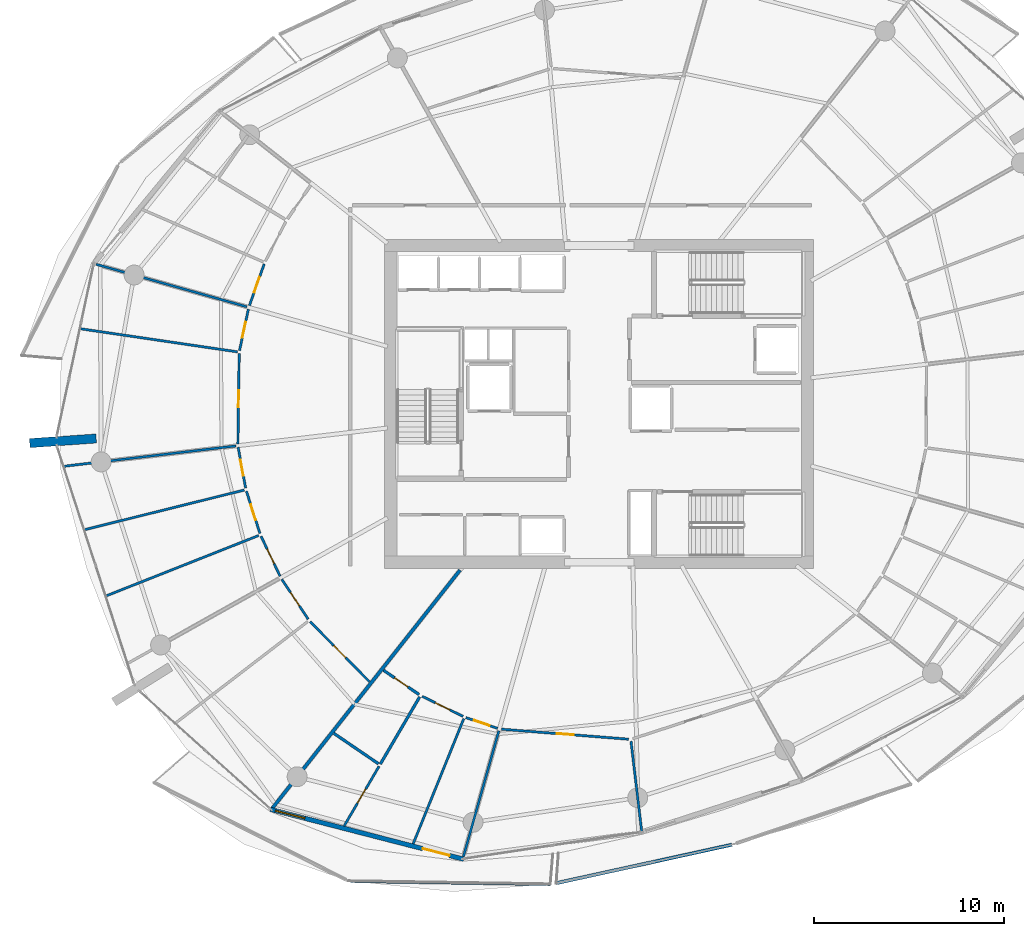
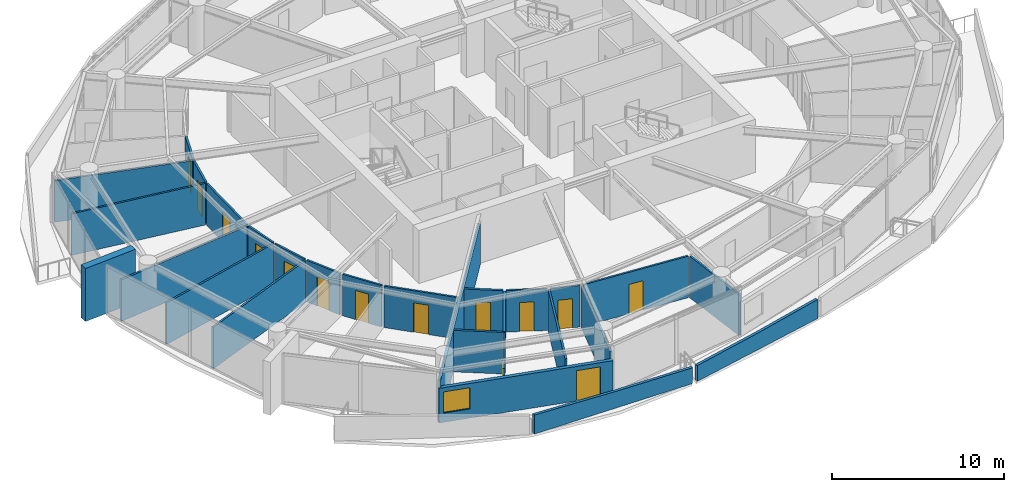
# One storey, part 11 of 20: 28 walls, 14 doors, 1 window, 15 openings.
"""IFC4 building model written with IfcOpenShell, lengths in metres."""

from ifc_helpers import new_model, si_unit, direction, frame, frame_2d, origin, place, context, subcontext, project, spatial, polyline, rectangle, outline, extrude, material, layer, layer_set, type_object, element, fill, save


model = new_model("IFC4")

# Units and contexts
model_context = context("Model", 3, precision=1e-05, world=origin(), true_north=direction((0.0, 1.0)))
body_context = subcontext(model_context, "Body", "Model", "MODEL_VIEW")
ifc_project = project(units=[si_unit("LENGTHUNIT", "METRE"), si_unit("AREAUNIT", "SQUARE_METRE"), si_unit("VOLUMEUNIT", "CUBIC_METRE"), si_unit("PLANEANGLEUNIT", "RADIAN"), si_unit("MASSUNIT", "GRAM", prefix="KILO")], contexts=[model_context])

# Site, building, storey
site_placement = place(None, origin())
site = spatial("IfcSite", under=ifc_project, at=site_placement, CompositionType="ELEMENT")
building_placement = place(site_placement, origin())
building = spatial("IfcBuilding", under=site, at=building_placement, Name="Kazma Halo Residences", CompositionType="ELEMENT")
storey_placement = place(building_placement, frame((0.0, 0.0, 217.800048828125)))
storey = spatial("IfcBuildingStorey", under=building, at=storey_placement, Name="L55", CompositionType="ELEMENT", Elevation=217.800048828125)

# Walls
ifc_material_1 = material(Name="White Concrete C50/60 Balustrade", Category="concrete")
ifc_layer_1 = layer(ifc_material_1, 0.179931640625)
ifc_layer_set_1 = layer_set([ifc_layer_1], Name="White Concrete C50/60 Balustrade")
wall_type_1 = type_object("IfcWallType", Name="WL-BAL-WAVE-180", PredefinedType="PARAPET", material=ifc_layer_set_1)
wall_1_placement = place(storey_placement, frame((35.343994140625, 16.924072265625, 0.0), z_axis=(0.0, 0.0, 1.0), x_axis=(0.999879009424, -0.015555272861, 0.0)))
element("IfcWall", 1, at=wall_1_placement, inside=storey, type_object=wall_type_1, Name="L55 white wave balustrade wall SW.2", PredefinedType="PARAPET", context=body_context, shape_type="SweptSolid", body=[
    extrude(outline(polyline([(0.0, 0.0), (10.515625, 0.0), (10.515625, 1.119873046875), (5.2578125, 1.181884765625), (0.0, 1.347900390625), (0.0, 0.0)])), frame((0.0, 0.08984375, 0.0), z_axis=(0.0, -1.0, 0.0), x_axis=(1.0, 0.0, 0.0)), (0.0, 0.0, 1.0), 0.179931640625),
])
wall_2_placement = place(storey_placement, frame((46.172119140625, 16.807373046875, 0.0), z_axis=(0.0, 0.0, 1.0), x_axis=(0.976834914213, 0.213994276499, 0.0)))
element("IfcWall", 2, at=wall_2_placement, inside=storey, type_object=wall_type_1, Name="L55 white wave balustrade wall SSE.1", PredefinedType="PARAPET", context=body_context, shape_type="SweptSolid", body=[
    extrude(outline(polyline([(0.0, 0.0), (9.449951171875, 0.0), (9.44970703125, 1.347900390625), (4.724853515625, 1.181884765625), (0.0, 1.119873046875), (0.0, 0.0)])), frame((0.0, 0.08984375, 0.0), z_axis=(0.0, -1.0, 0.0), x_axis=(1.0, 0.0, 0.0)), (0.0, 0.0, 1.0), 0.179931640625),
])
ifc_material_2 = material(Name="Pale Concrete C60/75", Category="concrete")
ifc_layer_2 = layer(ifc_material_2, 0.47998046875)
ifc_layer_set_2 = layer_set([ifc_layer_2], Name="Pale Concrete C60/75")
wall_type_2 = type_object("IfcWallType", Name="WL-BLADE-480", PredefinedType="SOLIDWALL", material=ifc_layer_set_2)
wall_3_placement = place(storey_placement, frame((21.9873046875, 40.180908203125, 0.0), z_axis=(0.0, 0.0, 1.0), x_axis=(-0.997568676264, -0.069690287244, 0.0)))
element("IfcWall", 3, at=wall_3_placement, inside=storey, type_object=wall_type_2, Name="L55 pale concrete structural blade fin wall BW-02", PredefinedType="SOLIDWALL", context=body_context, shape_type="SweptSolid", body=[
    extrude(rectangle(XDim=3.499755859375, YDim=0.47998046875, at=frame_2d((1.75, 0.0))), origin(), (0.0, 0.0, 1.0), 3.75),
])
ifc_material_3 = material(Name="Acoustic Twin-Stud Gypsum")
ifc_layer_3 = layer(ifc_material_3, 0.179931640625)
ifc_layer_set_3 = layer_set([ifc_layer_3], Name="Acoustic Twin-Stud Gypsum")
wall_type_3 = type_object("IfcWallType", Name="WL-DEM-180", PredefinedType="PARTITIONING", material=ifc_layer_set_3)
wall_4_placement = place(storey_placement, frame((41.11279296875, 33.263671875, 0.0), z_axis=(0.0, 0.0, 1.0), x_axis=(-0.619089233189, -0.785320648748, 0.0)))
element("IfcWall", 4, at=wall_4_placement, inside=storey, type_object=wall_type_3, Name="L55 apartment demising radial wall 09", PredefinedType="PARTITIONING", context=body_context, shape_type="SweptSolid", body=[
    extrude(rectangle(XDim=16.005615234375, YDim=0.179931640625, at=frame_2d((8.0029296875, 0.0))), origin(), (0.0, 0.0, 1.0), 2.93994140625),
])

# Wall, openings, door, window
ifc_material_4 = material(Name="Insulated Pale-Metal Composite Wall")
ifc_layer_4 = layer(ifc_material_4, 0.239990234375)
ifc_layer_set_4 = layer_set([ifc_layer_4], Name="Insulated Pale-Metal Composite Wall")
wall_type_4 = type_object("IfcWallType", Name="WL-EXT-HOST-240", PredefinedType="SOLIDWALL", material=ifc_layer_set_4)
wall_5_placement = place(storey_placement, frame((31.139892578125, 20.68701171875, 0.0), z_axis=(0.0, 0.0, 1.0), x_axis=(0.968374028006, -0.249502989727, 0.0)))
wall_5 = element("IfcWall", 5, at=wall_5_placement, inside=storey, type_object=wall_type_4, Name="L55 exterior terrace-access wall B10", PredefinedType="SOLIDWALL", context=body_context, shape_type="SweptSolid", body=[
    extrude(rectangle(XDim=10.494384765625, YDim=0.239990234375, at=frame_2d((5.2470703125, 0.0))), origin(), (0.0, 0.0, 1.0), 2.449951171875),
])
opening_1_placement = place(wall_5_placement, frame((8.2744140625, 0.0, 0.0)))
opening_1 = element("IfcOpeningElement", 6, at=opening_1_placement, cuts=wall_5, Name="Opening DTR-1600", PredefinedType="OPENING", context=body_context, shape_type="SweptSolid", body=[
    extrude(rectangle(XDim=1.449951171875, YDim=2.14990234375, at=frame_2d((0.72509765625, 1.074951171875))), frame((0.0, 0.1298828125, 0.0), z_axis=(0.0, -1.0, 0.0), x_axis=(1.0, 0.0, 0.0)), (0.0, 0.0, 1.0), 0.260009765625),
])
opening_2_placement = place(wall_5_placement, frame((0.280029296875, 0.0, 0.64990234375)))
opening_2 = element("IfcOpeningElement", 7, at=opening_2_placement, cuts=wall_5, Name="Opening W-1800", PredefinedType="OPENING", context=body_context, shape_type="SweptSolid", body=[
    extrude(rectangle(XDim=1.60009765625, YDim=1.5, at=frame_2d((0.800048828125, 0.75))), frame((0.0, 0.1298828125, 0.0), z_axis=(0.0, -1.0, 0.0), x_axis=(1.0, 0.0, 0.0)), (0.0, 0.0, 1.0), 0.260009765625),
])
ifc_material_5 = material(Name="Aluminium AW-6063 T6 Double-Glazed Terrace Door", Category="aluminium")
door_type_1 = type_object("IfcDoorType", Name="DR-EXT-TERR-1600", OperationType="NOTDEFINED", PredefinedType="DOOR", material=ifc_material_5)
door_1_placement = place(opening_1_placement, origin())
door_1 = element("IfcDoor", 8, at=door_1_placement, inside=storey, type_object=door_type_1, Name="L55 B10 balcony terrace door", OperationType="DOUBLE_DOOR_SLIDING", OverallHeight=2.14990234375, OverallWidth=1.449951171875, PredefinedType="DOOR", context=body_context, shape_type="SweptSolid", body=[
    extrude(rectangle(XDim=1.449951171875, YDim=2.14990234375, at=frame_2d((0.72509765625, 1.074951171875))), frame((0.0, 0.02490234375, 0.0), z_axis=(0.0, -1.0, 0.0), x_axis=(1.0, 0.0, 0.0)), (0.0, 0.0, 1.0), 0.050048828125),
])
fill(opening_1, door_1)
ifc_material_6 = material(Name="Clear Triple-Silver Low-E Glass in Aluminium AW-6063 T6 Frame", Category="aluminium")
window_type = type_object("IfcWindowType", Name="WIN-RES-1800", PartitioningType="DOUBLE_PANEL_VERTICAL", PredefinedType="WINDOW", material=ifc_material_6)
window_placement = place(opening_2_placement, origin())
window = element("IfcWindow", 9, at=window_placement, inside=storey, type_object=window_type, Name="L55 B10 apartment window", OverallHeight=1.5, OverallWidth=1.60009765625, PartitioningType="SINGLE_PANEL", PredefinedType="WINDOW", context=body_context, shape_type="SweptSolid", body=[
    extrude(rectangle(XDim=1.60009765625, YDim=1.5, at=frame_2d((0.800048828125, 0.75))), frame((0.0, 0.030029296875, 0.0), z_axis=(0.0, -1.0, 0.0), x_axis=(1.0, 0.0, 0.0)), (0.0, 0.0, 1.0), 0.06005859375),
])
fill(opening_2, window)

# Wall, opening, door
ifc_material_7 = material(Name="Gypsum Plasterboard Partition")
ifc_layer_5 = layer(ifc_material_7, 0.125)
ifc_layer_set_5 = layer_set([ifc_layer_5], Name="Gypsum Plasterboard Partition")
wall_type_5 = type_object("IfcWallType", Name="WL-PART-125", PredefinedType="PARTITIONING", material=ifc_layer_set_5)
wall_6_placement = place(storey_placement, frame((30.819580078125, 49.355712890625, 0.0), z_axis=(0.0, 0.0, 1.0), x_axis=(-0.335156966619, -0.942162304344, 0.0)))
wall_6 = element("IfcWall", 10, at=wall_6_placement, inside=storey, type_object=wall_type_5, Name="L55 Apartment 1 Primary Bedroom hall wall", PredefinedType="PARTITIONING", context=body_context, shape_type="SweptSolid", body=[
    extrude(rectangle(XDim=2.321533203125, YDim=0.125, at=frame_2d((1.16064453125, 0.0))), origin(), (0.0, 0.0, 1.0), 2.93994140625),
])
opening_3_placement = place(wall_6_placement, frame((0.735595703125, 0.0, 0.0)))
opening_3 = element("IfcOpeningElement", 11, at=opening_3_placement, cuts=wall_6, Name="Opening DB-900", PredefinedType="OPENING", context=body_context, shape_type="SweptSolid", body=[
    extrude(rectangle(XDim=0.85009765625, YDim=2.06005859375, at=frame_2d((0.425048828125, 1.030029296875))), frame((0.0, 0.072509765625, 0.0), z_axis=(0.0, -1.0, 0.0), x_axis=(1.0, 0.0, 0.0)), (0.0, 0.0, 1.0), 0.14501953125),
])
ifc_material_8 = material(Name="Moisture-Sealed Timber Leaf", Category="wood")
door_type_2 = type_object("IfcDoorType", Name="DR-BTH-900", OperationType="NOTDEFINED", PredefinedType="DOOR", material=ifc_material_8)
door_2_placement = place(opening_3_placement, origin())
door_2 = element("IfcDoor", 12, at=door_2_placement, inside=storey, type_object=door_type_2, Name="L55 Apartment 1 Primary Bedroom door", OperationType="SINGLE_SWING_RIGHT", OverallHeight=2.06005859375, OverallWidth=0.85009765625, PredefinedType="DOOR", context=body_context, shape_type="SweptSolid", body=[
    extrude(rectangle(XDim=0.85009765625, YDim=2.06005859375, at=frame_2d((0.425048828125, 1.030029296875))), frame((0.0, 0.02490234375, 0.0), z_axis=(0.0, -1.0, 0.0), x_axis=(1.0, 0.0, 0.0)), (0.0, 0.0, 1.0), 0.050048828125),
])
fill(opening_3, door_2)

# Walls
wall_7_placement = place(storey_placement, frame((29.91162109375, 47.101318359375, 0.0), z_axis=(0.0, 0.0, 1.0), x_axis=(-0.962449080254, 0.271462277156, 0.0)))
element("IfcWall", 13, at=wall_7_placement, inside=storey, type_object=wall_type_5, Name="L55 Apartment 1 radial partition 6", PredefinedType="PARTITIONING", context=body_context, shape_type="SweptSolid", body=[
    extrude(rectangle(XDim=8.236328125, YDim=0.125, at=frame_2d((4.1181640625, 0.0))), origin(), (0.0, 0.0, 1.0), 2.93994140625),
])
wall_8_placement = place(storey_placement, frame((29.416015625, 44.734375, 0.0), z_axis=(0.0, 0.0, 1.0), x_axis=(-0.989347742189, 0.145571443031, 0.0)))
element("IfcWall", 14, at=wall_8_placement, inside=storey, type_object=wall_type_5, Name="L55 Apartment 1 mid-bay wall 6", PredefinedType="PARTITIONING", context=body_context, shape_type="SweptSolid", body=[
    extrude(rectangle(XDim=8.3486328125, YDim=0.125, at=frame_2d((4.17431640625, 0.0))), origin(), (0.0, 0.0, 1.0), 2.93994140625),
])

# Wall, opening, door
wall_9_placement = place(storey_placement, frame((29.987060546875, 46.9765625, 0.0), z_axis=(0.0, 0.0, 1.0), x_axis=(-0.209004848165, -0.977914604372, 0.0)))
wall_9 = element("IfcWall", 15, at=wall_9_placement, inside=storey, type_object=wall_type_5, Name="L55 Apartment 1 Primary Wine Pantry Store hall wall", PredefinedType="PARTITIONING", context=body_context, shape_type="SweptSolid", body=[
    extrude(rectangle(XDim=2.226318359375, YDim=0.125, at=frame_2d((1.11328125, 0.0))), origin(), (0.0, 0.0, 1.0), 2.93994140625),
])
opening_4_placement = place(wall_9_placement, frame((0.68798828125, 0.0, 0.0)))
opening_4 = element("IfcOpeningElement", 16, at=opening_4_placement, cuts=wall_9, Name="Opening DB-900", PredefinedType="OPENING", context=body_context, shape_type="SweptSolid", body=[
    extrude(rectangle(XDim=0.85009765625, YDim=2.06005859375, at=frame_2d((0.425048828125, 1.030029296875))), frame((0.0, 0.072509765625, 0.0), z_axis=(0.0, -1.0, 0.0), x_axis=(1.0, 0.0, 0.0)), (0.0, 0.0, 1.0), 0.14501953125),
])
door_3_placement = place(opening_4_placement, origin())
door_3 = element("IfcDoor", 17, at=door_3_placement, inside=storey, type_object=door_type_2, Name="L55 Apartment 1 Primary Wine Pantry Store door", OperationType="SINGLE_SWING_RIGHT", OverallHeight=2.06005859375, OverallWidth=0.85009765625, PredefinedType="DOOR", context=body_context, shape_type="SweptSolid", body=[
    extrude(rectangle(XDim=0.85009765625, YDim=2.06005859375, at=frame_2d((0.425048828125, 1.030029296875))), frame((0.0, 0.02490234375, 0.0), z_axis=(0.0, -1.0, 0.0), x_axis=(1.0, 0.0, 0.0)), (0.0, 0.0, 1.0), 0.050048828125),
])
fill(opening_4, door_3)

wall_10_placement = place(storey_placement, frame((29.50390625, 44.64111328125, 0.0), z_axis=(0.0, 0.0, 1.0), x_axis=(-0.014116482788, -0.999900357493, 0.0)))
wall_10 = element("IfcWall", 18, at=wall_10_placement, inside=storey, type_object=wall_type_5, Name="L55 Apartment 1 Secondary Formal Dining Room hall wall", PredefinedType="PARTITIONING", context=body_context, shape_type="SweptSolid", body=[
    extrude(rectangle(XDim=4.73876953125, YDim=0.125, at=frame_2d((2.369384765625, 0.0))), origin(), (0.0, 0.0, 1.0), 2.93994140625),
])
opening_5_placement = place(wall_10_placement, frame((1.91943359375, 0.0, 0.0)))
opening_5 = element("IfcOpeningElement", 19, at=opening_5_placement, cuts=wall_10, Name="Opening DI-950", PredefinedType="OPENING", context=body_context, shape_type="SweptSolid", body=[
    extrude(rectangle(XDim=0.89990234375, YDim=2.080078125, at=frame_2d((0.449951171875, 1.0400390625))), frame((0.0, 0.072509765625, 0.0), z_axis=(0.0, -1.0, 0.0), x_axis=(1.0, 0.0, 0.0)), (0.0, 0.0, 1.0), 0.14501953125),
])
ifc_material_9 = material(Name="Timber Veneer Flush Leaf", Category="wood")
door_type_3 = type_object("IfcDoorType", Name="DR-INT-950", OperationType="NOTDEFINED", PredefinedType="DOOR", material=ifc_material_9)
door_4_placement = place(opening_5_placement, origin())
door_4 = element("IfcDoor", 20, at=door_4_placement, inside=storey, type_object=door_type_3, Name="L55 Apartment 1 Secondary Formal Dining Room door", OperationType="SINGLE_SWING_LEFT", OverallHeight=2.080078125, OverallWidth=0.89990234375, PredefinedType="DOOR", context=body_context, shape_type="SweptSolid", body=[
    extrude(rectangle(XDim=0.89990234375, YDim=2.080078125, at=frame_2d((0.449951171875, 1.0400390625))), frame((0.0, 0.02490234375, 0.0), z_axis=(0.0, -1.0, 0.0), x_axis=(1.0, 0.0, 0.0)), (0.0, 0.0, 1.0), 0.050048828125),
])
fill(opening_5, door_4)

# Walls
wall_11_placement = place(storey_placement, frame((29.336181640625, 39.791015625, 0.0), z_axis=(0.0, 0.0, 1.0), x_axis=(-0.99306722244, -0.117547827356, 0.0)))
element("IfcWall", 21, at=wall_11_placement, inside=storey, type_object=wall_type_5, Name="L55 Apartment 1 radial partition 7", PredefinedType="PARTITIONING", context=body_context, shape_type="SweptSolid", body=[
    extrude(rectangle(XDim=9.10107421875, YDim=0.125, at=frame_2d((4.550537109375, 0.0))), origin(), (0.0, 0.0, 1.0), 2.93994140625),
])
wall_12_placement = place(storey_placement, frame((29.77001953125, 37.4716796875, 0.0), z_axis=(0.0, 0.0, 1.0), x_axis=(-0.970505283608, -0.241079850857, 0.0)))
element("IfcWall", 22, at=wall_12_placement, inside=storey, type_object=wall_type_5, Name="L55 Apartment 1 bay wall 1 7", PredefinedType="PARTITIONING", context=body_context, shape_type="SweptSolid", body=[
    extrude(rectangle(XDim=8.643310546875, YDim=0.125, at=frame_2d((4.32177734375, 0.0))), origin(), (0.0, 0.0, 1.0), 2.93994140625),
])
wall_13_placement = place(storey_placement, frame((30.53515625, 35.085205078125, 0.0), z_axis=(0.0, 0.0, 1.0), x_axis=(-0.929776352491, -0.368124889607, 0.0)))
element("IfcWall", 23, at=wall_13_placement, inside=storey, type_object=wall_type_5, Name="L55 Apartment 1 bay wall 2 7", PredefinedType="PARTITIONING", context=body_context, shape_type="SweptSolid", body=[
    extrude(rectangle(XDim=8.62890625, YDim=0.125, at=frame_2d((4.314453125, 0.0))), origin(), (0.0, 0.0, 1.0), 2.93994140625),
])

# Wall, opening, door
wall_14_placement = place(storey_placement, frame((29.449951171875, 39.72412109375, 0.0), z_axis=(0.0, 0.0, 1.0), x_axis=(0.179671023407, -0.98372675238, 0.0)))
wall_14 = element("IfcWall", 24, at=wall_14_placement, inside=storey, type_object=wall_type_5, Name="L55 Apartment 1 East Bedroom hall wall", PredefinedType="PARTITIONING", context=body_context, shape_type="SweptSolid", body=[
    extrude(rectangle(XDim=2.187744140625, YDim=0.125, at=frame_2d((1.09375, 0.0))), origin(), (0.0, 0.0, 1.0), 2.93994140625),
])
opening_6_placement = place(wall_14_placement, frame((0.668701171875, 0.0, 0.0)))
opening_6 = element("IfcOpeningElement", 25, at=opening_6_placement, cuts=wall_14, Name="Opening DB-900", PredefinedType="OPENING", context=body_context, shape_type="SweptSolid", body=[
    extrude(rectangle(XDim=0.85009765625, YDim=2.06005859375, at=frame_2d((0.425048828125, 1.030029296875))), frame((0.0, 0.072509765625, 0.0), z_axis=(0.0, -1.0, 0.0), x_axis=(1.0, 0.0, 0.0)), (0.0, 0.0, 1.0), 0.14501953125),
])
door_5_placement = place(opening_6_placement, origin())
door_5 = element("IfcDoor", 26, at=door_5_placement, inside=storey, type_object=door_type_2, Name="L55 Apartment 1 East Bedroom door", OperationType="SINGLE_SWING_RIGHT", OverallHeight=2.06005859375, OverallWidth=0.85009765625, PredefinedType="DOOR", context=body_context, shape_type="SweptSolid", body=[
    extrude(rectangle(XDim=0.85009765625, YDim=2.06005859375, at=frame_2d((0.425048828125, 1.030029296875))), frame((0.0, 0.02490234375, 0.0), z_axis=(0.0, -1.0, 0.0), x_axis=(1.0, 0.0, 0.0)), (0.0, 0.0, 1.0), 0.050048828125),
])
fill(opening_6, door_5)

wall_15_placement = place(storey_placement, frame((29.8818359375, 37.4169921875, 0.0), z_axis=(0.0, 0.0, 1.0), x_axis=(0.305348810802, -0.952240570309, 0.0)))
wall_15 = element("IfcWall", 27, at=wall_15_placement, inside=storey, type_object=wall_type_5, Name="L55 Apartment 1 West Dressing Wardrobe hall wall", PredefinedType="PARTITIONING", context=body_context, shape_type="SweptSolid", body=[
    extrude(rectangle(XDim=2.333984375, YDim=0.125, at=frame_2d((1.1669921875, 0.0))), origin(), (0.0, 0.0, 1.0), 2.93994140625),
])
opening_7_placement = place(wall_15_placement, frame((0.741943359375, 0.0, 0.0)))
opening_7 = element("IfcOpeningElement", 28, at=opening_7_placement, cuts=wall_15, Name="Opening DB-900", PredefinedType="OPENING", context=body_context, shape_type="SweptSolid", body=[
    extrude(rectangle(XDim=0.85009765625, YDim=2.06005859375, at=frame_2d((0.425048828125, 1.030029296875))), frame((0.0, 0.072509765625, 0.0), z_axis=(0.0, -1.0, 0.0), x_axis=(1.0, 0.0, 0.0)), (0.0, 0.0, 1.0), 0.14501953125),
])
door_6_placement = place(opening_7_placement, origin())
door_6 = element("IfcDoor", 29, at=door_6_placement, inside=storey, type_object=door_type_2, Name="L55 Apartment 1 West Dressing Wardrobe door", OperationType="SINGLE_SWING_LEFT", OverallHeight=2.06005859375, OverallWidth=0.85009765625, PredefinedType="DOOR", context=body_context, shape_type="SweptSolid", body=[
    extrude(rectangle(XDim=0.85009765625, YDim=2.06005859375, at=frame_2d((0.425048828125, 1.030029296875))), frame((0.0, 0.02490234375, 0.0), z_axis=(0.0, -1.0, 0.0), x_axis=(1.0, 0.0, 0.0)), (0.0, 0.0, 1.0), 0.050048828125),
])
fill(opening_7, door_6)

wall_16_placement = place(storey_placement, frame((30.653076171875, 35.0458984375, 0.0), z_axis=(0.0, 0.0, 1.0), x_axis=(0.429385363207, -0.903121370506, 0.0)))
wall_16 = element("IfcWall", 30, at=wall_16_placement, inside=storey, type_object=wall_type_5, Name="L55 Apartment 1 North Bedroom hall wall", PredefinedType="PARTITIONING", context=body_context, shape_type="SweptSolid", body=[
    extrude(rectangle(XDim=2.333984375, YDim=0.125, at=frame_2d((1.1669921875, 0.0))), origin(), (0.0, 0.0, 1.0), 2.93994140625),
])
opening_8_placement = place(wall_16_placement, frame((0.7421875, 0.0, 0.0)))
opening_8 = element("IfcOpeningElement", 31, at=opening_8_placement, cuts=wall_16, Name="Opening DB-900", PredefinedType="OPENING", context=body_context, shape_type="SweptSolid", body=[
    extrude(rectangle(XDim=0.85009765625, YDim=2.06005859375, at=frame_2d((0.425048828125, 1.030029296875))), frame((0.0, 0.072509765625, 0.0), z_axis=(0.0, -1.0, 0.0), x_axis=(1.0, 0.0, 0.0)), (0.0, 0.0, 1.0), 0.14501953125),
])
door_7_placement = place(opening_8_placement, origin())
door_7 = element("IfcDoor", 32, at=door_7_placement, inside=storey, type_object=door_type_2, Name="L55 Apartment 1 North Bedroom door", OperationType="SINGLE_SWING_RIGHT", OverallHeight=2.06005859375, OverallWidth=0.85009765625, PredefinedType="DOOR", context=body_context, shape_type="SweptSolid", body=[
    extrude(rectangle(XDim=0.85009765625, YDim=2.06005859375, at=frame_2d((0.425048828125, 1.030029296875))), frame((0.0, 0.02490234375, 0.0), z_axis=(0.0, -1.0, 0.0), x_axis=(1.0, 0.0, 0.0)), (0.0, 0.0, 1.0), 0.050048828125),
])
fill(opening_8, door_7)

wall_17_placement = place(storey_placement, frame((31.74462890625, 32.7822265625, 0.0), z_axis=(0.0, 0.0, 1.0), x_axis=(0.550331787139, -0.834946060572, 0.0)))
wall_17 = element("IfcWall", 33, at=wall_17_placement, inside=storey, type_object=wall_type_5, Name="L55 Apartment 1 South Wine Pantry Store hall wall", PredefinedType="PARTITIONING", context=body_context, shape_type="SweptSolid", body=[
    extrude(rectangle(XDim=2.519287109375, YDim=0.125, at=frame_2d((1.259765625, 0.0))), origin(), (0.0, 0.0, 1.0), 2.93994140625),
])
opening_9_placement = place(wall_17_placement, frame((0.834716796875, 0.0, 0.0)))
opening_9 = element("IfcOpeningElement", 34, at=opening_9_placement, cuts=wall_17, Name="Opening DB-900", PredefinedType="OPENING", context=body_context, shape_type="SweptSolid", body=[
    extrude(rectangle(XDim=0.85009765625, YDim=2.06005859375, at=frame_2d((0.425048828125, 1.030029296875))), frame((0.0, 0.072509765625, 0.0), z_axis=(0.0, -1.0, 0.0), x_axis=(1.0, 0.0, 0.0)), (0.0, 0.0, 1.0), 0.14501953125),
])
door_8_placement = place(opening_9_placement, origin())
door_8 = element("IfcDoor", 35, at=door_8_placement, inside=storey, type_object=door_type_2, Name="L55 Apartment 1 South Wine Pantry Store door", OperationType="SINGLE_SWING_RIGHT", OverallHeight=2.06005859375, OverallWidth=0.85009765625, PredefinedType="DOOR", context=body_context, shape_type="SweptSolid", body=[
    extrude(rectangle(XDim=0.85009765625, YDim=2.06005859375, at=frame_2d((0.425048828125, 1.030029296875))), frame((0.0, 0.02490234375, 0.0), z_axis=(0.0, -1.0, 0.0), x_axis=(1.0, 0.0, 0.0)), (0.0, 0.0, 1.0), 0.050048828125),
])
fill(opening_9, door_8)

wall_18_placement = place(storey_placement, frame((33.231201171875, 30.55517578125, 0.0), z_axis=(0.0, 0.0, 1.0), x_axis=(0.702646714281, -0.711538892057, 0.0)))
wall_18 = element("IfcWall", 36, at=wall_18_placement, inside=storey, type_object=wall_type_5, Name="L55 Apartment 1 Inner Formal Dining Room hall wall", PredefinedType="PARTITIONING", context=body_context, shape_type="SweptSolid", body=[
    extrude(rectangle(XDim=4.44775390625, YDim=0.125, at=frame_2d((2.223876953125, 0.0))), origin(), (0.0, 0.0, 1.0), 2.93994140625),
])
opening_10_placement = place(wall_18_placement, frame((1.773681640625, 0.0, 0.0)))
opening_10 = element("IfcOpeningElement", 37, at=opening_10_placement, cuts=wall_18, Name="Opening DI-950", PredefinedType="OPENING", context=body_context, shape_type="SweptSolid", body=[
    extrude(rectangle(XDim=0.89990234375, YDim=2.080078125, at=frame_2d((0.449951171875, 1.0400390625))), frame((0.0, 0.072509765625, 0.0), z_axis=(0.0, -1.0, 0.0), x_axis=(1.0, 0.0, 0.0)), (0.0, 0.0, 1.0), 0.14501953125),
])
door_9_placement = place(opening_10_placement, origin())
door_9 = element("IfcDoor", 38, at=door_9_placement, inside=storey, type_object=door_type_3, Name="L55 Apartment 1 Inner Formal Dining Room door", OperationType="SINGLE_SWING_LEFT", OverallHeight=2.080078125, OverallWidth=0.89990234375, PredefinedType="DOOR", context=body_context, shape_type="SweptSolid", body=[
    extrude(rectangle(XDim=0.89990234375, YDim=2.080078125, at=frame_2d((0.449951171875, 1.0400390625))), frame((0.0, 0.02490234375, 0.0), z_axis=(0.0, -1.0, 0.0), x_axis=(1.0, 0.0, 0.0)), (0.0, 0.0, 1.0), 0.050048828125),
])
fill(opening_10, door_9)

wall_19_placement = place(storey_placement, frame((36.856689453125, 22.953369140625, 0.0), z_axis=(0.0, 0.0, 1.0), x_axis=(-0.504954980617, -0.863145681533, 0.0)))
wall_19 = element("IfcWall", 39, at=wall_19_placement, inside=storey, type_object=wall_type_5, Name="L55 Apartment 2 Household Store Room partition wall", PredefinedType="PARTITIONING", context=body_context, shape_type="SweptSolid", body=[
    extrude(rectangle(XDim=3.6396484375, YDim=0.125, at=frame_2d((1.81982421875, 0.0))), origin(), (0.0, 0.0, 1.0), 2.93994140625),
])
opening_11_placement = place(wall_19_placement, frame((1.394775390625, 0.0, 0.0)))
opening_11 = element("IfcOpeningElement", 40, at=opening_11_placement, cuts=wall_19, Name="Opening DB-900", PredefinedType="OPENING", context=body_context, shape_type="SweptSolid", body=[
    extrude(rectangle(XDim=0.85009765625, YDim=2.06005859375, at=frame_2d((0.425048828125, 1.030029296875))), frame((0.0, 0.072509765625, 0.0), z_axis=(0.0, -1.0, 0.0), x_axis=(1.0, 0.0, 0.0)), (0.0, 0.0, 1.0), 0.14501953125),
])
door_10_placement = place(opening_11_placement, origin())
door_10 = element("IfcDoor", 41, at=door_10_placement, inside=storey, type_object=door_type_2, Name="L55 Apartment 2 Household Store Room door", OperationType="SINGLE_SWING_RIGHT", OverallHeight=2.06005859375, OverallWidth=0.85009765625, PredefinedType="DOOR", context=body_context, shape_type="SweptSolid", body=[
    extrude(rectangle(XDim=0.85009765625, YDim=2.06005859375, at=frame_2d((0.425048828125, 1.030029296875))), frame((0.0, 0.02490234375, 0.0), z_axis=(0.0, -1.0, 0.0), x_axis=(1.0, 0.0, 0.0)), (0.0, 0.0, 1.0), 0.050048828125),
])
fill(opening_11, door_10)

# Wall
wall_20_placement = place(storey_placement, frame((41.308837890625, 25.454833984375, 0.0), z_axis=(0.0, 0.0, 1.0), x_axis=(-0.374907525365, -0.927062213352, 0.0)))
element("IfcWall", 42, at=wall_20_placement, inside=storey, type_object=wall_type_5, Name="L55 Apartment 2 suite divider 9", PredefinedType="PARTITIONING", context=body_context, shape_type="SweptSolid", body=[
    extrude(rectangle(XDim=7.09228515625, YDim=0.125, at=frame_2d((3.546142578125, 0.0))), origin(), (0.0, 0.0, 1.0), 2.93994140625),
])

# Wall, opening, door
wall_21_placement = place(storey_placement, frame((39.114013671875, 26.6337890625, 0.0), z_axis=(0.0, 0.0, 1.0), x_axis=(0.897413929061, -0.441189573683, 0.0)))
wall_21 = element("IfcWall", 43, at=wall_21_placement, inside=storey, type_object=wall_type_5, Name="L55 Apartment 2 Gourmet Kitchen hall wall", PredefinedType="PARTITIONING", context=body_context, shape_type="SweptSolid", body=[
    extrude(rectangle(XDim=2.4033203125, YDim=0.125, at=frame_2d((1.20166015625, 0.0))), origin(), (0.0, 0.0, 1.0), 2.93994140625),
])
opening_12_placement = place(wall_21_placement, frame((0.776611328125, 0.0, 0.0)))
opening_12 = element("IfcOpeningElement", 44, at=opening_12_placement, cuts=wall_21, Name="Opening DB-900", PredefinedType="OPENING", context=body_context, shape_type="SweptSolid", body=[
    extrude(rectangle(XDim=0.85009765625, YDim=2.06005859375, at=frame_2d((0.425048828125, 1.030029296875))), frame((0.0, 0.072509765625, 0.0), z_axis=(0.0, -1.0, 0.0), x_axis=(1.0, 0.0, 0.0)), (0.0, 0.0, 1.0), 0.14501953125),
])
door_11_placement = place(opening_12_placement, origin())
door_11 = element("IfcDoor", 45, at=door_11_placement, inside=storey, type_object=door_type_2, Name="L55 Apartment 2 Gourmet Kitchen door", OperationType="SINGLE_SWING_LEFT", OverallHeight=2.06005859375, OverallWidth=0.85009765625, PredefinedType="DOOR", context=body_context, shape_type="SweptSolid", body=[
    extrude(rectangle(XDim=0.85009765625, YDim=2.06005859375, at=frame_2d((0.425048828125, 1.030029296875))), frame((0.0, 0.02490234375, 0.0), z_axis=(0.0, -1.0, 0.0), x_axis=(1.0, 0.0, 0.0)), (0.0, 0.0, 1.0), 0.050048828125),
])
fill(opening_12, door_11)

wall_22_placement = place(storey_placement, frame((41.418212890625, 25.51220703125, 0.0), z_axis=(0.0, 0.0, 1.0), x_axis=(0.946216458122, -0.32353425534, 0.0)))
wall_22 = element("IfcWall", 46, at=wall_22_placement, inside=storey, type_object=wall_type_5, Name="L55 Apartment 2 Primary Bedroom hall wall", PredefinedType="PARTITIONING", context=body_context, shape_type="SweptSolid", body=[
    extrude(rectangle(XDim=1.761962890625, YDim=0.125, at=frame_2d((0.880859375, 0.0))), origin(), (0.0, 0.0, 1.0), 2.93994140625),
])
opening_13_placement = place(wall_22_placement, frame((0.4560546875, 0.0, 0.0)))
opening_13 = element("IfcOpeningElement", 47, at=opening_13_placement, cuts=wall_22, Name="Opening DB-900", PredefinedType="OPENING", context=body_context, shape_type="SweptSolid", body=[
    extrude(rectangle(XDim=0.85009765625, YDim=2.06005859375, at=frame_2d((0.425048828125, 1.030029296875))), frame((0.0, 0.072509765625, 0.0), z_axis=(0.0, -1.0, 0.0), x_axis=(1.0, 0.0, 0.0)), (0.0, 0.0, 1.0), 0.14501953125),
])
door_12_placement = place(opening_13_placement, origin())
door_12 = element("IfcDoor", 48, at=door_12_placement, inside=storey, type_object=door_type_2, Name="L55 Apartment 2 Primary Bedroom door", OperationType="SINGLE_SWING_RIGHT", OverallHeight=2.06005859375, OverallWidth=0.85009765625, PredefinedType="DOOR", context=body_context, shape_type="SweptSolid", body=[
    extrude(rectangle(XDim=0.85009765625, YDim=2.06005859375, at=frame_2d((0.425048828125, 1.030029296875))), frame((0.0, 0.02490234375, 0.0), z_axis=(0.0, -1.0, 0.0), x_axis=(1.0, 0.0, 0.0)), (0.0, 0.0, 1.0), 0.050048828125),
])
fill(opening_13, door_12)

# Wall
wall_23_placement = place(storey_placement, frame((43.15283203125, 24.8134765625, 0.0), z_axis=(0.0, 0.0, 1.0), x_axis=(-0.271433998897, -0.962457055791, 0.0)))
element("IfcWall", 49, at=wall_23_placement, inside=storey, type_object=wall_type_5, Name="L55 Apartment 2 radial partition 10", PredefinedType="PARTITIONING", context=body_context, shape_type="SweptSolid", body=[
    extrude(rectangle(XDim=6.869873046875, YDim=0.125, at=frame_2d((3.43505859375, 0.0))), origin(), (0.0, 0.0, 1.0), 2.93994140625),
])

# Wall, opening, door
wall_24_placement = place(storey_placement, frame((43.289794921875, 24.901123046875, 0.0), z_axis=(0.0, 0.0, 1.0), x_axis=(0.996916756268, -0.078466432773, 0.0)))
wall_24 = element("IfcWall", 50, at=wall_24_placement, inside=storey, type_object=wall_type_5, Name="L55 Apartment 2 East Formal Dining Room gallery wall", PredefinedType="PARTITIONING", context=body_context, shape_type="SweptSolid", body=[
    extrude(rectangle(XDim=6.708251953125, YDim=0.125, at=frame_2d((3.35400390625, 0.0))), origin(), (0.0, 0.0, 1.0), 2.93994140625),
])
opening_14_placement = place(wall_24_placement, frame((2.904296875, 0.0, 0.0)))
opening_14 = element("IfcOpeningElement", 51, at=opening_14_placement, cuts=wall_24, Name="Opening DI-950", PredefinedType="OPENING", context=body_context, shape_type="SweptSolid", body=[
    extrude(rectangle(XDim=0.89990234375, YDim=2.080078125, at=frame_2d((0.449951171875, 1.0400390625))), frame((0.0, 0.072509765625, 0.0), z_axis=(0.0, -1.0, 0.0), x_axis=(1.0, 0.0, 0.0)), (0.0, 0.0, 1.0), 0.14501953125),
])
door_13_placement = place(opening_14_placement, origin())
door_13 = element("IfcDoor", 52, at=door_13_placement, inside=storey, type_object=door_type_3, Name="L55 Apartment 2 East Formal Dining Room door", OperationType="SINGLE_SWING_RIGHT", OverallHeight=2.080078125, OverallWidth=0.89990234375, PredefinedType="DOOR", context=body_context, shape_type="SweptSolid", body=[
    extrude(rectangle(XDim=0.89990234375, YDim=2.080078125, at=frame_2d((0.449951171875, 1.0400390625))), frame((0.0, 0.02490234375, 0.0), z_axis=(0.0, -1.0, 0.0), x_axis=(1.0, 0.0, 0.0)), (0.0, 0.0, 1.0), 0.050048828125),
])
fill(opening_14, door_13)

# Wall
wall_25_placement = place(storey_placement, frame((50.098876953125, 24.266845703125, 0.0), z_axis=(0.0, 0.0, 1.0), x_axis=(0.117511168915, -0.993071560956, 0.0)))
element("IfcWall", 53, at=wall_25_placement, inside=storey, type_object=wall_type_5, Name="L55 Apartment 2 radial partition 11", PredefinedType="PARTITIONING", context=body_context, shape_type="SweptSolid", body=[
    extrude(rectangle(XDim=4.778564453125, YDim=0.125, at=frame_2d((2.38916015625, 0.0))), origin(), (0.0, 0.0, 1.0), 2.93994140625),
])

# Wall, opening, door
ifc_material_10 = material(Name="Moisture-Resistant Gypsum")
ifc_layer_6 = layer(ifc_material_10, 0.14990234375)
ifc_layer_set_6 = layer_set([ifc_layer_6], Name="Moisture-Resistant Gypsum")
wall_type_6 = type_object("IfcWallType", Name="WL-WET-150", PredefinedType="PARTITIONING", material=ifc_layer_set_6)
wall_26_placement = place(storey_placement, frame((37.08935546875, 27.998779296875, 0.0), z_axis=(0.0, 0.0, 1.0), x_axis=(0.826211362519, -0.563360261684, 0.0)))
wall_26 = element("IfcWall", 54, at=wall_26_placement, inside=storey, type_object=wall_type_6, Name="L55 Apartment 2 Guest Bathroom hall wall", PredefinedType="PARTITIONING", context=body_context, shape_type="SweptSolid", body=[
    extrude(rectangle(XDim=2.2626953125, YDim=0.14990234375, at=frame_2d((1.13134765625, 0.0))), origin(), (0.0, 0.0, 1.0), 2.93994140625),
])
opening_15_placement = place(wall_26_placement, frame((0.706298828125, 0.0, 0.0)))
opening_15 = element("IfcOpeningElement", 55, at=opening_15_placement, cuts=wall_26, Name="Opening DB-900", PredefinedType="OPENING", context=body_context, shape_type="SweptSolid", body=[
    extrude(rectangle(XDim=0.85009765625, YDim=2.06005859375, at=frame_2d((0.425048828125, 1.030029296875))), frame((0.0, 0.0849609375, 0.0), z_axis=(0.0, -1.0, 0.0), x_axis=(1.0, 0.0, 0.0)), (0.0, 0.0, 1.0), 0.169921875),
])
door_14_placement = place(opening_15_placement, origin())
door_14 = element("IfcDoor", 56, at=door_14_placement, inside=storey, type_object=door_type_2, Name="L55 Apartment 2 Guest Bathroom door", OperationType="SINGLE_SWING_LEFT", OverallHeight=2.06005859375, OverallWidth=0.85009765625, PredefinedType="DOOR", context=body_context, shape_type="SweptSolid", body=[
    extrude(rectangle(XDim=0.85009765625, YDim=2.06005859375, at=frame_2d((0.425048828125, 1.030029296875))), frame((0.0, 0.02490234375, 0.0), z_axis=(0.0, -1.0, 0.0), x_axis=(1.0, 0.0, 0.0)), (0.0, 0.0, 1.0), 0.050048828125),
])
fill(opening_15, door_14)

# Walls
wall_27_placement = place(storey_placement, frame((34.476806640625, 24.684814453125, 0.0), z_axis=(0.0, 0.0, 1.0), x_axis=(0.826196481555, -0.563382085148, 0.0)))
element("IfcWall", 57, at=wall_27_placement, inside=storey, type_object=wall_type_6, Name="L55 Apartment 2 Guest Bathroom back wall", PredefinedType="PARTITIONING", context=body_context, shape_type="SweptSolid", body=[
    extrude(rectangle(XDim=2.845458984375, YDim=0.14990234375, at=frame_2d((1.4228515625, 0.0))), origin(), (0.0, 0.0, 1.0), 2.93994140625),
])
wall_28_placement = place(storey_placement, frame((38.98779296875, 26.595703125, 0.0), z_axis=(0.0, 0.0, 1.0), x_axis=(-0.504984010109, -0.863128698129, 0.0)))
element("IfcWall", 58, at=wall_28_placement, inside=storey, type_object=wall_type_6, Name="L55 Apartment 2 Guest Bathroom side wall", PredefinedType="PARTITIONING", context=body_context, shape_type="SweptSolid", body=[
    extrude(rectangle(XDim=4.090087890625, YDim=0.14990234375, at=frame_2d((2.044921875, 0.0))), origin(), (0.0, 0.0, 1.0), 2.93994140625),
])

save(model, "model.ifc")
